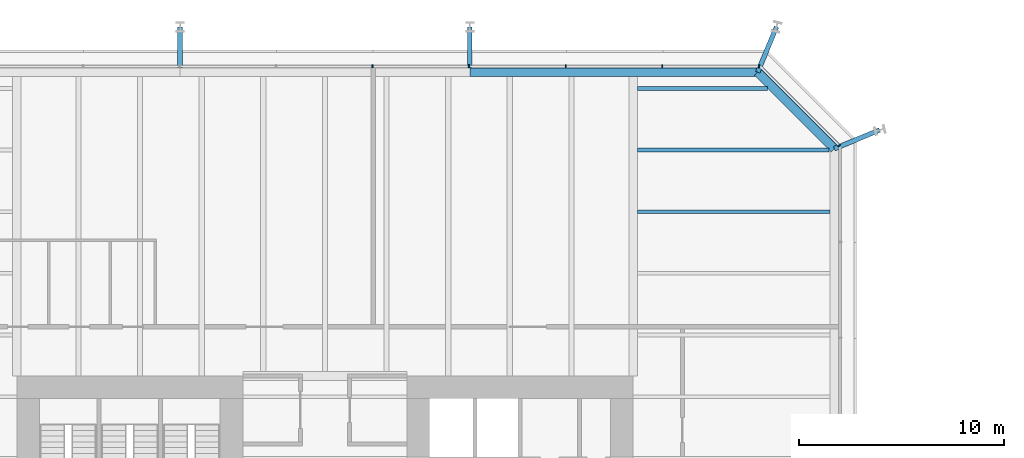
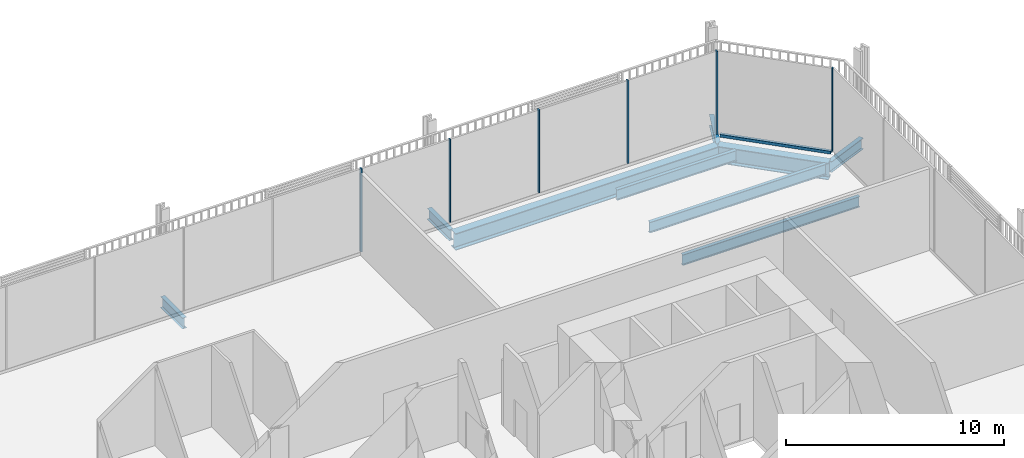
# One storey, part 16 of 25: 9 beams, 7 members, 2 elements without a shape of their own.
"""IFC4 building model written with IfcOpenShell, lengths in metres."""

from ifc_helpers import new_model, si_unit, direction, frame, origin, origin_2d, place, context, subcontext, project, spatial, rectangle, i_section, extrude, material, layer, layer_set, material_profile, profile_set, type_object, element, aggregate, save


model = new_model("IFC4")

# Units and contexts
model_context = context("Model", 3, precision=1e-05, world=origin(), true_north=direction((0.0, 1.0)))
body_context = subcontext(model_context, "Body", "Model", "MODEL_VIEW")
ifc_project = project(units=[si_unit("LENGTHUNIT", "METRE"), si_unit("AREAUNIT", "SQUARE_METRE"), si_unit("VOLUMEUNIT", "CUBIC_METRE"), si_unit("PLANEANGLEUNIT", "RADIAN"), si_unit("MASSUNIT", "GRAM", prefix="KILO")], contexts=[model_context])

# Site, building, storey
site_placement = place(None, origin())
site = spatial("IfcSite", under=ifc_project, at=site_placement, CompositionType="ELEMENT")
building_placement = place(site_placement, origin())
building = spatial("IfcBuilding", under=site, at=building_placement, Name="Millrace Tower", CompositionType="ELEMENT")
storey_placement = place(building_placement, frame((0.0, 0.0, 6.5)))
storey = spatial("IfcBuildingStorey", under=building, at=storey_placement, Name="L02", CompositionType="ELEMENT", Elevation=6.5)

# Curtain wall, member
ifc_material_1 = material(Name="Aluminium and glass", Category="aluminium")
ifc_layer = layer(ifc_material_1, 0.14990234375)
ifc_layer_set = layer_set([ifc_layer], Name="Aluminium and glass")
curtain_wall_type = type_object("IfcCurtainWallType", Name="CW-2 data hall insulated curtain wall", PredefinedType="NOTDEFINED", material=ifc_layer_set)
placement = place(storey_placement, origin())
curtain_wall_1 = element("IfcCurtainWall", 1, at=placement, inside=storey, type_object=curtain_wall_type, Name="Curtain wall AW2-F03 L02", PredefinedType="NOTDEFINED")
ifc_material_2 = material(Name="Aluminium", Category="aluminium")
ifc_material_profile_1 = material_profile(ifc_material_2, rectangle(XDim=0.06494140625, YDim=0.14990234375, at=origin_2d()))
ifc_profile_set_1 = profile_set([ifc_material_profile_1], Name="Aluminium")
member_type_1 = type_object("IfcMemberType", Name="CW-2 data hall insulated curtain wall mullion", PredefinedType="MULLION", material=ifc_profile_set_1)
member_1_placement = place(storey_placement, frame((25.030029296875, 21.22607421875, 0.159912109375), z_axis=(0.0, 0.0, 1.0), x_axis=(-0.707106781187, 0.707106781187, 0.0)))
member_1 = element("IfcMember", 2, at=member_1_placement, type_object=member_type_1, Name="CW2 mullion AW2-F03.1", PredefinedType="MULLION", context=body_context, shape_type="SweptSolid", body=[
    extrude(rectangle(XDim=0.06494140625, YDim=0.14990234375, at=origin_2d()), origin(), (0.0, 0.0, 1.0), 4.64013671875),
])

# Curtain wall, members
curtain_wall_2 = element("IfcCurtainWall", 3, at=placement, inside=storey, type_object=curtain_wall_type, Name="Curtain wall AW2-F04 L02", PredefinedType="NOTDEFINED")
member_2_placement = place(storey_placement, frame((21.117431640625, 25.074951171875, 0.159912109375), z_axis=(0.0, 0.0, 1.0), x_axis=(-1.0, 0.0, 0.0)))
member_2 = element("IfcMember", 4, at=member_2_placement, type_object=member_type_1, Name="CW2 mullion AW2-F04.1", PredefinedType="MULLION", context=body_context, shape_type="SweptSolid", body=[
    extrude(rectangle(XDim=0.06494140625, YDim=0.14990234375, at=origin_2d()), origin(), (0.0, 0.0, 1.0), 4.64013671875),
])
member_3_placement = place(storey_placement, frame((16.41748046875, 25.074951171875, 0.159912109375), z_axis=(0.0, 0.0, 1.0), x_axis=(-1.0, 0.0, 0.0)))
member_3 = element("IfcMember", 5, at=member_3_placement, type_object=member_type_1, Name="CW2 mullion AW2-F04.2", PredefinedType="MULLION", context=body_context, shape_type="SweptSolid", body=[
    extrude(rectangle(XDim=0.06494140625, YDim=0.14990234375, at=origin_2d()), origin(), (0.0, 0.0, 1.0), 4.64013671875),
])
member_4_placement = place(storey_placement, frame((11.717529296875, 25.074951171875, 0.159912109375), z_axis=(0.0, 0.0, 1.0), x_axis=(-1.0, 0.0, 0.0)))
member_4 = element("IfcMember", 6, at=member_4_placement, type_object=member_type_1, Name="CW2 mullion AW2-F04.3", PredefinedType="MULLION", context=body_context, shape_type="SweptSolid", body=[
    extrude(rectangle(XDim=0.06494140625, YDim=0.14990234375, at=origin_2d()), origin(), (0.0, 0.0, 1.0), 4.64013671875),
])
member_5_placement = place(storey_placement, frame((7.017578125, 25.074951171875, 0.159912109375), z_axis=(0.0, 0.0, 1.0), x_axis=(-1.0, 0.0, 0.0)))
member_5 = element("IfcMember", 7, at=member_5_placement, type_object=member_type_1, Name="CW2 mullion AW2-F04.4", PredefinedType="MULLION", context=body_context, shape_type="SweptSolid", body=[
    extrude(rectangle(XDim=0.06494140625, YDim=0.14990234375, at=origin_2d()), origin(), (0.0, 0.0, 1.0), 4.64013671875),
])
member_6_placement = place(storey_placement, frame((2.3173828125, 25.074951171875, 0.159912109375), z_axis=(0.0, 0.0, 1.0), x_axis=(-1.0, 0.0, 0.0)))
member_6 = element("IfcMember", 8, at=member_6_placement, type_object=member_type_1, Name="CW2 mullion AW2-F04.5", PredefinedType="MULLION", context=body_context, shape_type="SweptSolid", body=[
    extrude(rectangle(XDim=0.06494140625, YDim=0.14990234375, at=origin_2d()), origin(), (0.0, 0.0, 1.0), 4.64013671875),
])
aggregate(curtain_wall_2, [member_2, member_3, member_4, member_5, member_6])

# Member
ifc_material_3 = material(Name="Aluminium", Category="aluminium")
ifc_material_profile_2 = material_profile(ifc_material_3, rectangle(XDim=0.14990234375, YDim=0.159912109375, at=origin_2d()))
ifc_profile_set_2 = profile_set([ifc_material_profile_2], Name="Aluminium")
member_type_2 = type_object("IfcMemberType", Name="CW-2 data hall insulated curtain wall transom", PredefinedType="USERDEFINED", material=ifc_profile_set_2)
member_7_placement = place(storey_placement, frame((24.982421875, 21.273681640625, 0.080078125), z_axis=(-0.707106781187, 0.707106781187, 0.0), x_axis=(-0.707106781187, -0.707106781187, 0.0)))
member_7 = element("IfcMember", 9, at=member_7_placement, type_object=member_type_2, Name="CW2 transom AW2-F03.1", ObjectType="TRANSOM", PredefinedType="USERDEFINED", context=body_context, shape_type="SweptSolid", body=[
    extrude(rectangle(XDim=0.14990234375, YDim=0.159912109375, at=origin_2d()), origin(), (0.0, 0.0, 1.0), 5.244873046875),
])

aggregate(curtain_wall_1, [member_1, member_7])

# Beams
ifc_material_4 = material(Name="Steel ASTM A992 Grade 50", Category="steel")
ifc_material_profile_3 = material_profile(ifc_material_4, i_section(OverallWidth=0.177978515625, OverallDepth=0.599365234375, WebThickness=0.010009765625, FlangeThickness=0.012939453125, FilletRadius=0.012939453125, at=origin_2d()))
ifc_profile_set_3 = profile_set([ifc_material_profile_3], Name="Steel ASTM A992 Grade 50")
beam_type_1 = type_object("IfcBeamType", Name="Floor beam W24x55", PredefinedType="JOIST", material=ifc_profile_set_3)
beam_1_placement = place(storey_placement, frame((15.212158203125, 24.0, -0.524658203125), z_axis=(1.0, 0.0, 0.0), x_axis=(0.0, 1.0, 0.0)))
element("IfcBeam", 10, at=beam_1_placement, inside=storey, type_object=beam_type_1, Name="BM-A-L02-S1-S051", PredefinedType="JOIST", context=body_context, shape_type="SweptSolid", body=[
    extrude(i_section(OverallWidth=0.177978515625, OverallDepth=0.599365234375, WebThickness=0.010009765625, FlangeThickness=0.012939453125, FilletRadius=0.012939453125, at=origin_2d()), origin(), (0.0, 0.0, 1.0), 6.317626953125),
])
ifc_material_5 = material(Name="Steel ASTM A992 Grade 50", Category="steel")
ifc_material_profile_4 = material_profile(ifc_material_5, i_section(OverallWidth=0.1787109375, OverallDepth=0.60205078125, WebThickness=0.010986328125, FlangeThickness=0.014892578125, FilletRadius=0.0126953125, at=origin_2d()))
ifc_profile_set_4 = profile_set([ifc_material_profile_4], Name="Steel ASTM A992 Grade 50")
beam_type_2 = type_object("IfcBeamType", Name="Floor beam W24x62", PredefinedType="JOIST", material=ifc_profile_set_4)
beam_2_placement = place(storey_placement, frame((15.212158203125, 18.0, -0.52587890625), z_axis=(1.0, 0.0, 0.0), x_axis=(0.0, 1.0, 0.0)))
element("IfcBeam", 11, at=beam_2_placement, inside=storey, type_object=beam_type_2, Name="BM-A-L02-S1-S047", PredefinedType="JOIST", context=body_context, shape_type="SweptSolid", body=[
    extrude(i_section(OverallWidth=0.1787109375, OverallDepth=0.60205078125, WebThickness=0.010986328125, FlangeThickness=0.014892578125, FilletRadius=0.0126953125, at=origin_2d()), origin(), (0.0, 0.0, 1.0), 9.3662109375),
])
beam_3_placement = place(storey_placement, frame((15.212158203125, 21.0, -0.52587890625), z_axis=(1.0, 0.0, 0.0), x_axis=(0.0, 1.0, 0.0)))
element("IfcBeam", 12, at=beam_3_placement, inside=storey, type_object=beam_type_2, Name="BM-A-L02-S1-S049", PredefinedType="JOIST", context=body_context, shape_type="SweptSolid", body=[
    extrude(i_section(OverallWidth=0.1787109375, OverallDepth=0.60205078125, WebThickness=0.010986328125, FlangeThickness=0.014892578125, FilletRadius=0.0126953125, at=origin_2d()), origin(), (0.0, 0.0, 1.0), 9.317626953125),
])
ifc_material_6 = material(Name="Steel ASTM A992 Grade 50", Category="steel")
ifc_material_profile_5 = material_profile(ifc_material_6, i_section(OverallWidth=0.23046875, OverallDepth=0.6171875, WebThickness=0.01318359375, FlangeThickness=0.022216796875, FilletRadius=0.012939453125, at=origin_2d()))
ifc_profile_set_5 = profile_set([ifc_material_profile_5], Name="Steel ASTM A992 Grade 50")
beam_type_3 = type_object("IfcBeamType", Name="Link beam W24x94", PredefinedType="BEAM", material=ifc_profile_set_5)
for number, where, z_axis, x_axis, name in (
    (13, (-7.050048828125, 25.0, -0.53369140625), (0.0, 1.0, 0.0), (-1.0, 0.0, 0.0), "LNK-A-L02-S1-07"),
    (14, (7.050048828125, 25.0, -0.53369140625), (0.0, 1.0, 0.0), (-1.0, 0.0, 0.0), "LNK-A-L02-S1-08"),
):
    element("IfcBeam", number, at=place(storey_placement, frame(where, z_axis=z_axis, x_axis=x_axis)), inside=storey, type_object=beam_type_3, Name=name, PredefinedType="BEAM", context=body_context, shape_type="SweptSolid", body=[
        extrude(i_section(OverallWidth=0.23046875, OverallDepth=0.6171875, WebThickness=0.01318359375, FlangeThickness=0.022216796875, FilletRadius=0.012939453125, at=origin_2d()), origin(), (0.0, 0.0, 1.0), 2.0),
    ])
for number, where, z_axis, x_axis, name in (
    (15, (21.062744140625, 24.7890625, -0.53369140625), (0.382673155247, 0.923883789366, 0.0), (-0.923883789366, 0.382673155247, 0.0), "LNK-A-L02-S1-09"),
    (16, (24.7890625, 21.062744140625, -0.53369140625), (0.923883789366, 0.382673155247, 0.0), (-0.382673155247, 0.923883789366, 0.0), "LNK-A-L02-S1-10"),
):
    element("IfcBeam", number, at=place(storey_placement, frame(where, z_axis=z_axis, x_axis=x_axis)), inside=storey, type_object=beam_type_3, Name=name, PredefinedType="BEAM", context=body_context, shape_type="SweptSolid", body=[
        extrude(i_section(OverallWidth=0.23046875, OverallDepth=0.6171875, WebThickness=0.01318359375, FlangeThickness=0.022216796875, FilletRadius=0.012939453125, at=origin_2d()), origin(), (0.0, 0.0, 1.0), 2.39306640625),
    ])
ifc_material_7 = material(Name="Steel ASTM A992 Grade 50", Category="steel")
ifc_material_profile_6 = material_profile(ifc_material_7, i_section(OverallWidth=0.421630859375, OverallDepth=0.937255859375, WebThickness=0.021240234375, FlangeThickness=0.03662109375, FilletRadius=0.024169921875, at=origin_2d()))
ifc_profile_set_6 = profile_set([ifc_material_profile_6], Name="Steel ASTM A992 Grade 50")
beam_type_4 = type_object("IfcBeamType", Name="Ring beam medium span W36x262", PredefinedType="SPANDREL", material=ifc_profile_set_6)
beam_4_placement = place(storey_placement, frame((7.050048828125, 24.7890625, -0.693603515625), z_axis=(1.0, 0.0, 0.0), x_axis=(0.0, 1.0, 0.0)))
element("IfcBeam", 17, at=beam_4_placement, inside=storey, type_object=beam_type_4, Name="RNG-A-L02-S1-08", PredefinedType="SPANDREL", context=body_context, shape_type="SweptSolid", body=[
    extrude(i_section(OverallWidth=0.421630859375, OverallDepth=0.937255859375, WebThickness=0.021240234375, FlangeThickness=0.03662109375, FilletRadius=0.024169921875, at=origin_2d()), origin(), (0.0, 0.0, 1.0), 14.0126953125),
])
ifc_material_8 = material(Name="Steel ASTM A992 Grade 50", Category="steel")
ifc_material_profile_7 = material_profile(ifc_material_8, i_section(OverallWidth=0.421630859375, OverallDepth=0.937255859375, WebThickness=0.021240234375, FlangeThickness=0.03662109375, FilletRadius=0.024169921875, at=origin_2d()))
ifc_profile_set_7 = profile_set([ifc_material_profile_7], Name="Steel ASTM A992 Grade 50")
beam_type_5 = type_object("IfcBeamType", Name="Ring beam short span W36x262", PredefinedType="SPANDREL", material=ifc_profile_set_7)
beam_5_placement = place(storey_placement, frame((21.062744140625, 24.7890625, -0.693603515625), z_axis=(0.707106781187, -0.707106781187, 0.0), x_axis=(0.707106781187, 0.707106781187, 0.0)))
element("IfcBeam", 18, at=beam_5_placement, inside=storey, type_object=beam_type_5, Name="RNG-A-L02-S1-09", PredefinedType="SPANDREL", context=body_context, shape_type="SweptSolid", body=[
    extrude(i_section(OverallWidth=0.421630859375, OverallDepth=0.937255859375, WebThickness=0.021240234375, FlangeThickness=0.03662109375, FilletRadius=0.024169921875, at=origin_2d()), origin(), (0.0, 0.0, 1.0), 5.269775390625),
])

save(model, "model.ifc")
